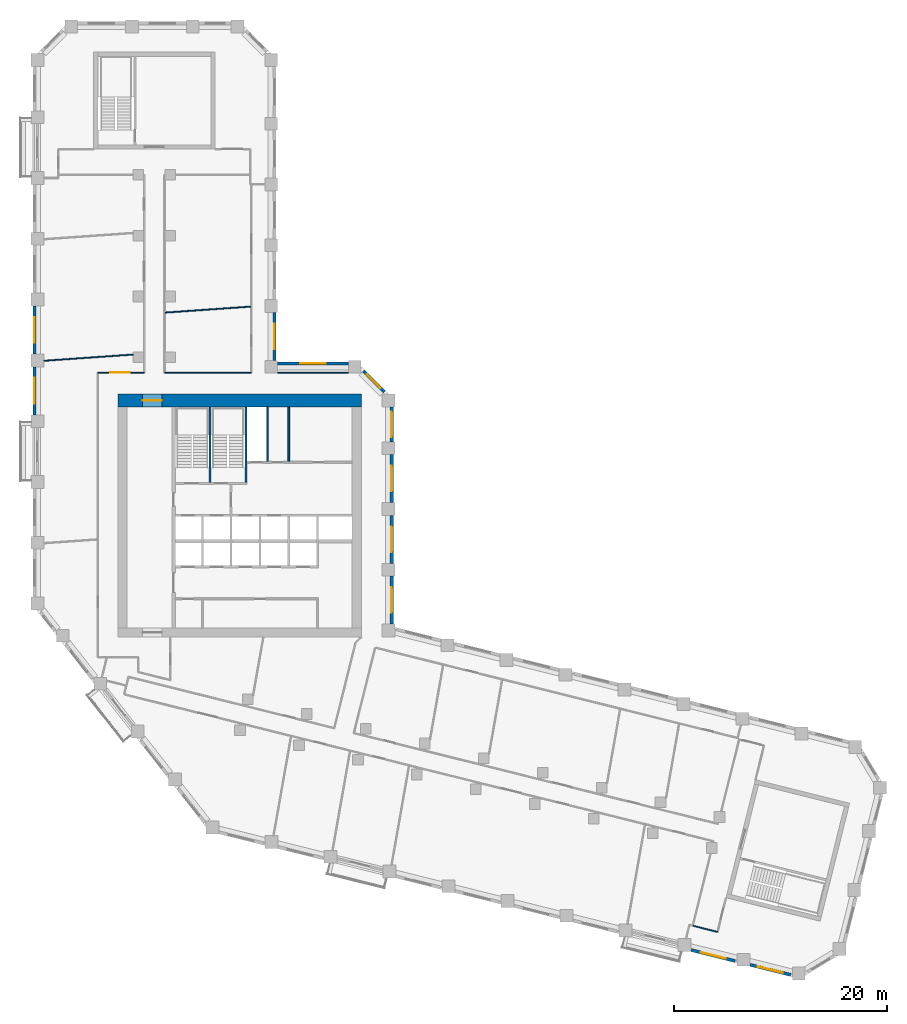
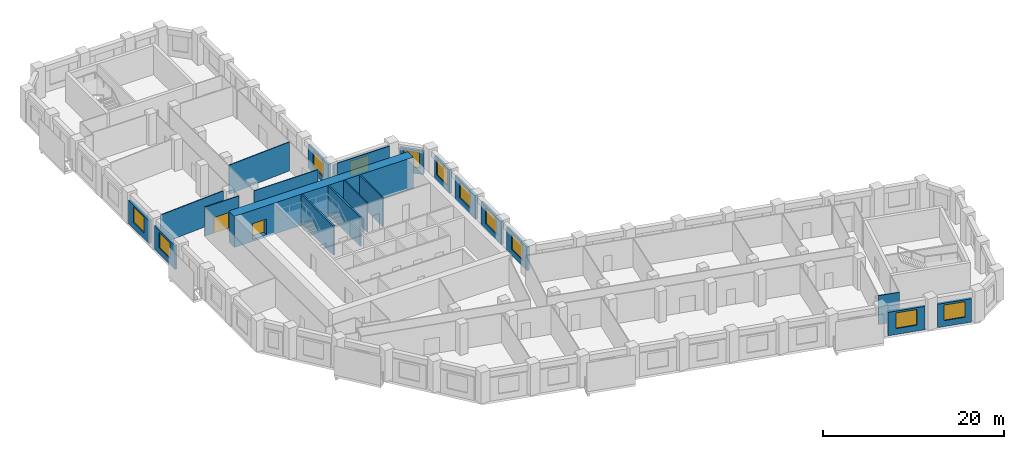
# One storey, part 6 of 10: 22 walls, 11 windows, 2 doors, 13 openings.
"""IFC4 building model written with IfcOpenShell, lengths in metres."""

from ifc_helpers import new_model, si_unit, direction, frame, frame_2d, origin, place, context, subcontext, project, spatial, rectangle, extrude, material, layer, layer_set, type_object, element, fill, save


model = new_model("IFC4")

# Units and contexts
model_context = context("Model", 3, precision=1e-05, world=origin(), true_north=direction((0.0, 1.0)))
body_context = subcontext(model_context, "Body", "Model", "MODEL_VIEW")
ifc_project = project(units=[si_unit("LENGTHUNIT", "METRE"), si_unit("AREAUNIT", "SQUARE_METRE"), si_unit("VOLUMEUNIT", "CUBIC_METRE"), si_unit("PLANEANGLEUNIT", "RADIAN"), si_unit("MASSUNIT", "GRAM", prefix="KILO")], contexts=[model_context])

# Site, building, storey
site_placement = place(None, origin())
site = spatial("IfcSite", under=ifc_project, at=site_placement, CompositionType="ELEMENT")
building_placement = place(site_placement, origin())
building = spatial("IfcBuilding", under=site, at=building_placement, Name="Meshkara Civic Tower", CompositionType="ELEMENT")
storey_placement = place(building_placement, frame((0.0, 0.0, 207.60009765625)))
storey = spatial("IfcBuildingStorey", under=building, at=storey_placement, Name="L47", CompositionType="ELEMENT", Elevation=207.60009765625)

# Walls
ifc_material_1 = material(Name="Blockwork", Category="masonry")
ifc_layer_1 = layer(ifc_material_1, 0.14990234375)
ifc_layer_set_1 = layer_set([ifc_layer_1], Name="Core partition 150")
wall_type_1 = type_object("IfcWallType", Name="Core partition 150", PredefinedType="PARTITIONING", material=ifc_layer_set_1)
for number, where, z_axis, x_axis, name in (
    (1, (22.0, 30.574951171875, 0.0), (0.0, 0.0, 1.0), (0.0, 1.0, 0.0), "L47-C018"),
    (2, (24.0, 30.574951171875, 0.0), (0.0, 0.0, 1.0), (0.0, 1.0, 0.0), "L47-C020"),
):
    element("IfcWall", number, at=place(storey_placement, frame(where, z_axis=z_axis, x_axis=x_axis)), inside=storey, type_object=wall_type_1, Name=name, PredefinedType="PARTITIONING", context=body_context, shape_type="SweptSolid", body=[
        extrude(rectangle(XDim=5.125, YDim=0.14990234375, at=frame_2d((2.5625, 0.0))), origin(), (0.0, 0.0, 1.0), 3.89990234375),
    ])

# Wall, opening, door
ifc_material_2 = material(Name="Concrete C70", Category="concrete")
ifc_layer_2 = layer(ifc_material_2, 1.199951171875)
ifc_layer_set_2 = layer_set([ifc_layer_2], Name="Core ring wall 1200 C70")
wall_type_2 = type_object("IfcWallType", Name="Core ring wall 1200 C70", PredefinedType="SHEAR", material=ifc_layer_set_2)
wall_1_placement = place(storey_placement, frame((8.0, 36.300048828125, -0.300048828125), z_axis=(0.0, 0.0, 1.0), x_axis=(1.0, 0.0, 0.0)))
wall_1 = element("IfcWall", 3, at=wall_1_placement, inside=storey, type_object=wall_type_2, Name="L47-C002", PredefinedType="SHEAR", context=body_context, shape_type="SweptSolid", body=[
    extrude(rectangle(XDim=22.800048828125, YDim=1.199951171875, at=frame_2d((11.39990234375, 0.0))), origin(), (0.0, 0.0, 1.0), 4.199951171875),
])
opening_1_placement = place(wall_1_placement, frame((2.300048828125, 0.0, 0.300048828125)))
opening_1 = element("IfcOpeningElement", 4, at=opening_1_placement, cuts=wall_1, Name="Opening L47-K020", PredefinedType="OPENING", context=body_context, shape_type="SweptSolid", body=[
    extrude(rectangle(XDim=1.800048828125, YDim=2.10009765625, at=frame_2d((0.89990234375, 1.050048828125))), frame((0.0, 0.60986328125, 0.0), z_axis=(0.0, -1.0, 0.0), x_axis=(1.0, 0.0, 0.0)), (0.0, 0.0, 1.0), 1.219970703125),
])
ifc_material_3 = material(Name="Fire-rated door leaf in steel frame", Category="steel")
door_type_1 = type_object("IfcDoorType", Name="Core double door 1800 EI 60", OperationType="DOUBLE_DOOR_SINGLE_SWING", PredefinedType="DOOR", material=ifc_material_3)
door_1_placement = place(opening_1_placement, origin())
door_1 = element("IfcDoor", 5, at=door_1_placement, inside=storey, type_object=door_type_1, Name="L47-K020", OperationType="DOUBLE_DOOR_SINGLE_SWING", OverallHeight=2.10009765625, OverallWidth=1.800048828125, PredefinedType="DOOR", context=body_context, shape_type="SweptSolid", body=[
    extrude(rectangle(XDim=1.800048828125, YDim=2.10009765625, at=frame_2d((0.89990234375, 1.050048828125))), frame((0.0, 0.02490234375, 0.0), z_axis=(0.0, -1.0, 0.0), x_axis=(1.0, 0.0, 0.0)), (0.0, 0.0, 1.0), 0.050048828125),
])
fill(opening_1, door_1)

ifc_material_4 = material(Name="Corridor wall 100")
ifc_layer_3 = layer(ifc_material_4, 0.10009765625)
ifc_layer_set_3 = layer_set([ifc_layer_3], Name="Corridor wall 100")
wall_type_3 = type_object("IfcWallType", Name="Corridor wall 100", PredefinedType="PARTITIONING", material=ifc_layer_set_3)
wall_2_placement = place(storey_placement, frame((10.449951171875, 38.89990234375, 0.0), z_axis=(0.0, 0.0, 1.0), x_axis=(-1.0, 0.0, 0.0)))
wall_2 = element("IfcWall", 6, at=wall_2_placement, inside=storey, type_object=wall_type_3, Name="L47-W011", PredefinedType="PARTITIONING", context=body_context, shape_type="SweptSolid", body=[
    extrude(rectangle(XDim=4.349853515625, YDim=0.10009765625, at=frame_2d((2.1748046875, 0.0))), origin(), (0.0, 0.0, 1.0), 3.89990234375),
])
opening_2_placement = place(wall_2_placement, frame((1.3798828125, 0.0, 0.0)))
opening_2 = element("IfcOpeningElement", 7, at=opening_2_placement, cuts=wall_2, Name="Opening L47-D017", PredefinedType="OPENING", context=body_context, shape_type="SweptSolid", body=[
    extrude(rectangle(XDim=1.800048828125, YDim=2.10009765625, at=frame_2d((0.89990234375, 1.050048828125))), frame((0.0, 0.06005859375, 0.0), z_axis=(0.0, -1.0, 0.0), x_axis=(1.0, 0.0, 0.0)), (0.0, 0.0, 1.0), 0.1201171875),
])
ifc_material_5 = material(Name="Door pair 1800 x 2100")
door_type_2 = type_object("IfcDoorType", Name="Door pair 1800 x 2100", OperationType="SINGLE_SWING_LEFT", PredefinedType="DOOR", material=ifc_material_5)
door_2_placement = place(opening_2_placement, origin())
door_2 = element("IfcDoor", 8, at=door_2_placement, inside=storey, type_object=door_type_2, Name="L47-D017", OperationType="DOUBLE_DOOR_SINGLE_SWING", OverallHeight=2.10009765625, OverallWidth=1.800048828125, PredefinedType="DOOR", context=body_context, shape_type="SweptSolid", body=[
    extrude(rectangle(XDim=1.800048828125, YDim=2.10009765625, at=frame_2d((0.89990234375, 1.050048828125))), frame((0.0, 0.02490234375, 0.0), z_axis=(0.0, -1.0, 0.0), x_axis=(1.0, 0.0, 0.0)), (0.0, 0.0, 1.0), 0.050048828125),
])
fill(opening_2, door_2)

# Walls
wall_3_placement = place(storey_placement, frame((20.5, 38.89990234375, 0.0), z_axis=(0.0, 0.0, 1.0), x_axis=(-1.0, 0.0, 0.0)))
element("IfcWall", 9, at=wall_3_placement, inside=storey, type_object=wall_type_3, Name="L47-W019", PredefinedType="PARTITIONING", context=body_context, shape_type="SweptSolid", body=[
    extrude(rectangle(XDim=8.14990234375, YDim=0.10009765625, at=frame_2d((4.074951171875, 0.0))), origin(), (0.0, 0.0, 1.0), 3.89990234375),
])
wall_4_placement = place(storey_placement, frame((29.593994140625, 38.89990234375, 0.0), z_axis=(0.0, 0.0, 1.0), x_axis=(-1.0, 0.0, 0.0)))
element("IfcWall", 10, at=wall_4_placement, inside=storey, type_object=wall_type_3, Name="L47-W021", PredefinedType="PARTITIONING", context=body_context, shape_type="SweptSolid", body=[
    extrude(rectangle(XDim=6.64404296875, YDim=0.10009765625, at=frame_2d((3.322021484375, 0.0))), origin(), (0.0, 0.0, 1.0), 3.89990234375),
])
wall_5_placement = place(storey_placement, frame((61.8740234375, -12.952880859375, 0.0), z_axis=(0.0, 0.0, 1.0), x_axis=(0.970256074659, -0.242080874063, 0.0)))
element("IfcWall", 11, at=wall_5_placement, inside=storey, type_object=wall_type_3, Name="L47-W027", PredefinedType="PARTITIONING", context=body_context, shape_type="SweptSolid", body=[
    extrude(rectangle(XDim=2.400146484375, YDim=0.10009765625, at=frame_2d((1.2001953125, 0.0))), origin(), (0.0, 0.0, 1.0), 3.89990234375),
])

# Wall, opening, window
ifc_material_6 = material(Name="Insulated infill panel with bronze anodised aluminium cladding", Category="aluminium")
ifc_layer_4 = layer(ifc_material_6, 0.300048828125)
ifc_layer_set_4 = layer_set([ifc_layer_4], Name="EXTERNAL INFILL WALL 300")
wall_type_4 = type_object("IfcWallType", Name="EXTERNAL INFILL WALL 300", PredefinedType="SOLIDWALL", material=ifc_layer_set_4)
wall_6_placement = place(storey_placement, frame((33.64990234375, 15.319091796875, 0.0), z_axis=(0.0, 0.0, 1.0), x_axis=(0.0, 1.0, 0.0)))
wall_6 = element("IfcWall", 12, at=wall_6_placement, inside=storey, type_object=wall_type_4, Name="External wall", PredefinedType="SOLIDWALL", context=body_context, shape_type="SweptSolid", body=[
    extrude(rectangle(XDim=4.5, YDim=0.300048828125, at=frame_2d((2.25, 0.0))), origin(), (0.0, 0.0, 1.0), 3.14990234375),
])
opening_3_placement = place(wall_6_placement, frame((1.050048828125, 0.0, 0.800048828125)))
opening_3 = element("IfcOpeningElement", 13, at=opening_3_placement, cuts=wall_6, Name="Opening W7", PredefinedType="OPENING", context=body_context, shape_type="SweptSolid", body=[
    extrude(rectangle(XDim=2.39990234375, YDim=2.10009765625, at=frame_2d((1.199951171875, 1.050048828125))), frame((0.0, 0.159912109375, 0.0), z_axis=(0.0, -1.0, 0.0), x_axis=(1.0, 0.0, 0.0)), (0.0, 0.0, 1.0), 0.320068359375),
])
ifc_material_7 = material(Name="Tinted double glazing", Category="glass")
window_type_1 = type_object("IfcWindowType", Name="WINDOW 2400x2100", PartitioningType="DOUBLE_PANEL_VERTICAL", PredefinedType="WINDOW", material=ifc_material_7)
window_1_placement = place(opening_3_placement, origin())
window_1 = element("IfcWindow", 14, at=window_1_placement, inside=storey, type_object=window_type_1, Name="Window", OverallHeight=2.10009765625, OverallWidth=2.39990234375, PartitioningType="DOUBLE_PANEL_VERTICAL", PredefinedType="WINDOW", context=body_context, shape_type="SweptSolid", body=[
    extrude(rectangle(XDim=2.39990234375, YDim=2.10009765625, at=frame_2d((1.199951171875, 1.050048828125))), frame((0.0, 0.030029296875, 0.0), z_axis=(0.0, -1.0, 0.0), x_axis=(1.0, 0.0, 0.0)), (0.0, 0.0, 1.0), 0.06005859375),
])
fill(opening_3, window_1)

wall_7_placement = place(storey_placement, frame((33.64990234375, 21.01904296875, 0.0), z_axis=(0.0, 0.0, 1.0), x_axis=(0.0, 1.0, 0.0)))
wall_7 = element("IfcWall", 15, at=wall_7_placement, inside=storey, type_object=wall_type_4, Name="External wall", PredefinedType="SOLIDWALL", context=body_context, shape_type="SweptSolid", body=[
    extrude(rectangle(XDim=4.5, YDim=0.300048828125, at=frame_2d((2.25, 0.0))), origin(), (0.0, 0.0, 1.0), 3.14990234375),
])
opening_4_placement = place(wall_7_placement, frame((1.050048828125, 0.0, 0.800048828125)))
opening_4 = element("IfcOpeningElement", 16, at=opening_4_placement, cuts=wall_7, Name="Opening W7", PredefinedType="OPENING", context=body_context, shape_type="SweptSolid", body=[
    extrude(rectangle(XDim=2.39990234375, YDim=2.10009765625, at=frame_2d((1.199951171875, 1.050048828125))), frame((0.0, 0.159912109375, 0.0), z_axis=(0.0, -1.0, 0.0), x_axis=(1.0, 0.0, 0.0)), (0.0, 0.0, 1.0), 0.320068359375),
])
window_2_placement = place(opening_4_placement, origin())
window_2 = element("IfcWindow", 17, at=window_2_placement, inside=storey, type_object=window_type_1, Name="Window", OverallHeight=2.10009765625, OverallWidth=2.39990234375, PartitioningType="DOUBLE_PANEL_VERTICAL", PredefinedType="WINDOW", context=body_context, shape_type="SweptSolid", body=[
    extrude(rectangle(XDim=2.39990234375, YDim=2.10009765625, at=frame_2d((1.199951171875, 1.050048828125))), frame((0.0, 0.030029296875, 0.0), z_axis=(0.0, -1.0, 0.0), x_axis=(1.0, 0.0, 0.0)), (0.0, 0.0, 1.0), 0.06005859375),
])
fill(opening_4, window_2)

wall_8_placement = place(storey_placement, frame((33.64990234375, 26.718994140625, 0.0), z_axis=(0.0, 0.0, 1.0), x_axis=(0.0, 1.0, 0.0)))
wall_8 = element("IfcWall", 18, at=wall_8_placement, inside=storey, type_object=wall_type_4, Name="External wall", PredefinedType="SOLIDWALL", context=body_context, shape_type="SweptSolid", body=[
    extrude(rectangle(XDim=4.5, YDim=0.300048828125, at=frame_2d((2.25, 0.0))), origin(), (0.0, 0.0, 1.0), 3.14990234375),
])
opening_5_placement = place(wall_8_placement, frame((1.050048828125, 0.0, 0.800048828125)))
opening_5 = element("IfcOpeningElement", 19, at=opening_5_placement, cuts=wall_8, Name="Opening W7", PredefinedType="OPENING", context=body_context, shape_type="SweptSolid", body=[
    extrude(rectangle(XDim=2.39990234375, YDim=2.10009765625, at=frame_2d((1.199951171875, 1.050048828125))), frame((0.0, 0.159912109375, 0.0), z_axis=(0.0, -1.0, 0.0), x_axis=(1.0, 0.0, 0.0)), (0.0, 0.0, 1.0), 0.320068359375),
])
window_3_placement = place(opening_5_placement, origin())
window_3 = element("IfcWindow", 20, at=window_3_placement, inside=storey, type_object=window_type_1, Name="Window", OverallHeight=2.10009765625, OverallWidth=2.39990234375, PartitioningType="DOUBLE_PANEL_VERTICAL", PredefinedType="WINDOW", context=body_context, shape_type="SweptSolid", body=[
    extrude(rectangle(XDim=2.39990234375, YDim=2.10009765625, at=frame_2d((1.199951171875, 1.050048828125))), frame((0.0, 0.030029296875, 0.0), z_axis=(0.0, -1.0, 0.0), x_axis=(1.0, 0.0, 0.0)), (0.0, 0.0, 1.0), 0.06005859375),
])
fill(opening_5, window_3)

wall_9_placement = place(storey_placement, frame((33.64990234375, 32.4189453125, 0.0), z_axis=(0.0, 0.0, 1.0), x_axis=(0.0, 1.0, 0.0)))
wall_9 = element("IfcWall", 21, at=wall_9_placement, inside=storey, type_object=wall_type_4, Name="External wall", PredefinedType="SOLIDWALL", context=body_context, shape_type="SweptSolid", body=[
    extrude(rectangle(XDim=3.275146484375, YDim=0.300048828125, at=frame_2d((1.6376953125, 0.0))), origin(), (0.0, 0.0, 1.0), 3.14990234375),
])
opening_6_placement = place(wall_9_placement, frame((0.43798828125, 0.0, 0.800048828125)))
opening_6 = element("IfcOpeningElement", 22, at=opening_6_placement, cuts=wall_9, Name="Opening W7", PredefinedType="OPENING", context=body_context, shape_type="SweptSolid", body=[
    extrude(rectangle(XDim=2.39990234375, YDim=2.10009765625, at=frame_2d((1.199951171875, 1.050048828125))), frame((0.0, 0.159912109375, 0.0), z_axis=(0.0, -1.0, 0.0), x_axis=(1.0, 0.0, 0.0)), (0.0, 0.0, 1.0), 0.320068359375),
])
window_4_placement = place(opening_6_placement, origin())
window_4 = element("IfcWindow", 23, at=window_4_placement, inside=storey, type_object=window_type_1, Name="Window", OverallHeight=2.10009765625, OverallWidth=2.39990234375, PartitioningType="DOUBLE_PANEL_VERTICAL", PredefinedType="WINDOW", context=body_context, shape_type="SweptSolid", body=[
    extrude(rectangle(XDim=2.39990234375, YDim=2.10009765625, at=frame_2d((1.199951171875, 1.050048828125))), frame((0.0, 0.030029296875, 0.0), z_axis=(0.0, -1.0, 0.0), x_axis=(1.0, 0.0, 0.0)), (0.0, 0.0, 1.0), 0.06005859375),
])
fill(opening_6, window_4)

wall_10_placement = place(storey_placement, frame((32.9619140625, 37.10595703125, 0.0), z_axis=(0.0, 0.0, 1.0), x_axis=(-0.707062649074, 0.707150910545, 0.0)))
wall_10 = element("IfcWall", 24, at=wall_10_placement, inside=storey, type_object=wall_type_4, Name="External wall", PredefinedType="SOLIDWALL", context=body_context, shape_type="SweptSolid", body=[
    extrude(rectangle(XDim=2.76611328125, YDim=0.300048828125, at=frame_2d((1.383056640625, 0.0))), origin(), (0.0, 0.0, 1.0), 3.14990234375),
])
opening_7_placement = place(wall_10_placement, frame((0.48291015625, 0.0, 0.800048828125)))
opening_7 = element("IfcOpeningElement", 25, at=opening_7_placement, cuts=wall_10, Name="Opening W9", PredefinedType="OPENING", context=body_context, shape_type="SweptSolid", body=[
    extrude(rectangle(XDim=1.800048828125, YDim=2.10009765625, at=frame_2d((0.89990234375, 1.050048828125))), frame((0.0, 0.159912109375, 0.0), z_axis=(0.0, -1.0, 0.0), x_axis=(1.0, 0.0, 0.0)), (0.0, 0.0, 1.0), 0.320068359375),
])
ifc_material_8 = material(Name="Tinted double glazing", Category="glass")
window_type_2 = type_object("IfcWindowType", Name="WINDOW 1800x2100", PartitioningType="DOUBLE_PANEL_VERTICAL", PredefinedType="WINDOW", material=ifc_material_8)
window_5_placement = place(opening_7_placement, origin())
window_5 = element("IfcWindow", 26, at=window_5_placement, inside=storey, type_object=window_type_2, Name="Window", OverallHeight=2.10009765625, OverallWidth=1.800048828125, PartitioningType="DOUBLE_PANEL_VERTICAL", PredefinedType="WINDOW", context=body_context, shape_type="SweptSolid", body=[
    extrude(rectangle(XDim=1.800048828125, YDim=2.10009765625, at=frame_2d((0.89990234375, 1.050048828125))), frame((0.0, 0.030029296875, 0.0), z_axis=(0.0, -1.0, 0.0), x_axis=(1.0, 0.0, 0.0)), (0.0, 0.0, 1.0), 0.06005859375),
])
fill(opening_7, window_5)

wall_11_placement = place(storey_placement, frame((29.593994140625, 39.75, 0.0), z_axis=(0.0, 0.0, 1.0), x_axis=(-1.0, 0.0, 0.0)))
wall_11 = element("IfcWall", 27, at=wall_11_placement, inside=storey, type_object=wall_type_4, Name="External wall", PredefinedType="SOLIDWALL", context=body_context, shape_type="SweptSolid", body=[
    extrude(rectangle(XDim=6.64404296875, YDim=0.300048828125, at=frame_2d((3.322021484375, 0.0))), origin(), (0.0, 0.0, 1.0), 3.14990234375),
])
opening_8_placement = place(wall_11_placement, frame((2.1220703125, 0.0, 0.800048828125)))
opening_8 = element("IfcOpeningElement", 28, at=opening_8_placement, cuts=wall_11, Name="Opening W7", PredefinedType="OPENING", context=body_context, shape_type="SweptSolid", body=[
    extrude(rectangle(XDim=2.39990234375, YDim=2.10009765625, at=frame_2d((1.199951171875, 1.050048828125))), frame((0.0, 0.159912109375, 0.0), z_axis=(0.0, -1.0, 0.0), x_axis=(1.0, 0.0, 0.0)), (0.0, 0.0, 1.0), 0.320068359375),
])
window_6_placement = place(opening_8_placement, origin())
window_6 = element("IfcWindow", 29, at=window_6_placement, inside=storey, type_object=window_type_1, Name="Window", OverallHeight=2.10009765625, OverallWidth=2.39990234375, PartitioningType="DOUBLE_PANEL_VERTICAL", PredefinedType="WINDOW", context=body_context, shape_type="SweptSolid", body=[
    extrude(rectangle(XDim=2.39990234375, YDim=2.10009765625, at=frame_2d((1.199951171875, 1.050048828125))), frame((0.0, 0.030029296875, 0.0), z_axis=(0.0, -1.0, 0.0), x_axis=(1.0, 0.0, 0.0)), (0.0, 0.0, 1.0), 0.06005859375),
])
fill(opening_8, window_6)

wall_12_placement = place(storey_placement, frame((22.64990234375, 40.050048828125, 0.0), z_axis=(0.0, 0.0, 1.0), x_axis=(0.0, 1.0, 0.0)))
wall_12 = element("IfcWall", 30, at=wall_12_placement, inside=storey, type_object=wall_type_4, Name="External wall", PredefinedType="SOLIDWALL", context=body_context, shape_type="SweptSolid", body=[
    extrude(rectangle(XDim=4.5, YDim=0.300048828125, at=frame_2d((2.25, 0.0))), origin(), (0.0, 0.0, 1.0), 3.14990234375),
])
opening_9_placement = place(wall_12_placement, frame((1.050048828125, 0.0, 0.800048828125)))
opening_9 = element("IfcOpeningElement", 31, at=opening_9_placement, cuts=wall_12, Name="Opening W7", PredefinedType="OPENING", context=body_context, shape_type="SweptSolid", body=[
    extrude(rectangle(XDim=2.39990234375, YDim=2.10009765625, at=frame_2d((1.199951171875, 1.050048828125))), frame((0.0, 0.159912109375, 0.0), z_axis=(0.0, -1.0, 0.0), x_axis=(1.0, 0.0, 0.0)), (0.0, 0.0, 1.0), 0.320068359375),
])
window_7_placement = place(opening_9_placement, origin())
window_7 = element("IfcWindow", 32, at=window_7_placement, inside=storey, type_object=window_type_1, Name="Window", OverallHeight=2.10009765625, OverallWidth=2.39990234375, PartitioningType="DOUBLE_PANEL_VERTICAL", PredefinedType="WINDOW", context=body_context, shape_type="SweptSolid", body=[
    extrude(rectangle(XDim=2.39990234375, YDim=2.10009765625, at=frame_2d((1.199951171875, 1.050048828125))), frame((0.0, 0.030029296875, 0.0), z_axis=(0.0, -1.0, 0.0), x_axis=(1.0, 0.0, 0.0)), (0.0, 0.0, 1.0), 0.06005859375),
])
fill(opening_9, window_7)

wall_13_placement = place(storey_placement, frame((0.14990234375, 45.155029296875, 0.0), z_axis=(0.0, 0.0, 1.0), x_axis=(0.0, -1.0, 0.0)))
wall_13 = element("IfcWall", 33, at=wall_13_placement, inside=storey, type_object=wall_type_4, Name="External wall", PredefinedType="SOLIDWALL", context=body_context, shape_type="SweptSolid", body=[
    extrude(rectangle(XDim=4.5, YDim=0.300048828125, at=frame_2d((2.25, 0.0))), origin(), (0.0, 0.0, 1.0), 3.14990234375),
])
opening_10_placement = place(wall_13_placement, frame((1.050048828125, 0.0, 0.800048828125)))
opening_10 = element("IfcOpeningElement", 34, at=opening_10_placement, cuts=wall_13, Name="Opening W7", PredefinedType="OPENING", context=body_context, shape_type="SweptSolid", body=[
    extrude(rectangle(XDim=2.39990234375, YDim=2.10009765625, at=frame_2d((1.199951171875, 1.050048828125))), frame((0.0, 0.159912109375, 0.0), z_axis=(0.0, -1.0, 0.0), x_axis=(1.0, 0.0, 0.0)), (0.0, 0.0, 1.0), 0.320068359375),
])
window_8_placement = place(opening_10_placement, origin())
window_8 = element("IfcWindow", 35, at=window_8_placement, inside=storey, type_object=window_type_1, Name="Window", OverallHeight=2.10009765625, OverallWidth=2.39990234375, PartitioningType="DOUBLE_PANEL_VERTICAL", PredefinedType="WINDOW", context=body_context, shape_type="SweptSolid", body=[
    extrude(rectangle(XDim=2.39990234375, YDim=2.10009765625, at=frame_2d((1.199951171875, 1.050048828125))), frame((0.0, 0.030029296875, 0.0), z_axis=(0.0, -1.0, 0.0), x_axis=(1.0, 0.0, 0.0)), (0.0, 0.0, 1.0), 0.06005859375),
])
fill(opening_10, window_8)

wall_14_placement = place(storey_placement, frame((0.14990234375, 39.455078125, 0.0), z_axis=(0.0, 0.0, 1.0), x_axis=(0.0, -1.0, 0.0)))
wall_14 = element("IfcWall", 36, at=wall_14_placement, inside=storey, type_object=wall_type_4, Name="External wall", PredefinedType="SOLIDWALL", context=body_context, shape_type="SweptSolid", body=[
    extrude(rectangle(XDim=4.5, YDim=0.300048828125, at=frame_2d((2.25, 0.0))), origin(), (0.0, 0.0, 1.0), 3.14990234375),
])
opening_11_placement = place(wall_14_placement, frame((1.050048828125, 0.0, 0.800048828125)))
opening_11 = element("IfcOpeningElement", 37, at=opening_11_placement, cuts=wall_14, Name="Opening W7", PredefinedType="OPENING", context=body_context, shape_type="SweptSolid", body=[
    extrude(rectangle(XDim=2.39990234375, YDim=2.10009765625, at=frame_2d((1.199951171875, 1.050048828125))), frame((0.0, 0.159912109375, 0.0), z_axis=(0.0, -1.0, 0.0), x_axis=(1.0, 0.0, 0.0)), (0.0, 0.0, 1.0), 0.320068359375),
])
window_9_placement = place(opening_11_placement, origin())
window_9 = element("IfcWindow", 38, at=window_9_placement, inside=storey, type_object=window_type_1, Name="Window", OverallHeight=2.10009765625, OverallWidth=2.39990234375, PartitioningType="DOUBLE_PANEL_VERTICAL", PredefinedType="WINDOW", context=body_context, shape_type="SweptSolid", body=[
    extrude(rectangle(XDim=2.39990234375, YDim=2.10009765625, at=frame_2d((1.199951171875, 1.050048828125))), frame((0.0, 0.030029296875, 0.0), z_axis=(0.0, -1.0, 0.0), x_axis=(1.0, 0.0, 0.0)), (0.0, 0.0, 1.0), 0.06005859375),
])
fill(opening_11, window_9)

wall_15_placement = place(storey_placement, frame((61.72998046875, -15.236083984375, 0.0), z_axis=(0.0, 0.0, 1.0), x_axis=(0.970304663212, -0.241886048688, 0.0)))
wall_15 = element("IfcWall", 39, at=wall_15_placement, inside=storey, type_object=wall_type_4, Name="External wall", PredefinedType="SOLIDWALL", context=body_context, shape_type="SweptSolid", body=[
    extrude(rectangle(XDim=4.2451171875, YDim=0.300048828125, at=frame_2d((2.12255859375, 0.0))), origin(), (0.0, 0.0, 1.0), 3.14990234375),
])
opening_12_placement = place(wall_15_placement, frame((0.922119140625, 0.0, 0.800048828125)))
opening_12 = element("IfcOpeningElement", 40, at=opening_12_placement, cuts=wall_15, Name="Opening W7", PredefinedType="OPENING", context=body_context, shape_type="SweptSolid", body=[
    extrude(rectangle(XDim=2.39990234375, YDim=2.10009765625, at=frame_2d((1.199951171875, 1.050048828125))), frame((0.0, 0.159912109375, 0.0), z_axis=(0.0, -1.0, 0.0), x_axis=(1.0, 0.0, 0.0)), (0.0, 0.0, 1.0), 0.320068359375),
])
window_10_placement = place(opening_12_placement, origin())
window_10 = element("IfcWindow", 41, at=window_10_placement, inside=storey, type_object=window_type_1, Name="Window", OverallHeight=2.10009765625, OverallWidth=2.39990234375, PartitioningType="DOUBLE_PANEL_VERTICAL", PredefinedType="WINDOW", context=body_context, shape_type="SweptSolid", body=[
    extrude(rectangle(XDim=2.39990234375, YDim=2.10009765625, at=frame_2d((1.199951171875, 1.050048828125))), frame((0.0, 0.030029296875, 0.0), z_axis=(0.0, -1.0, 0.0), x_axis=(1.0, 0.0, 0.0)), (0.0, 0.0, 1.0), 0.06005859375),
])
fill(opening_12, window_10)

wall_16_placement = place(storey_placement, frame((67.260009765625, -16.614990234375, 0.0), z_axis=(0.0, 0.0, 1.0), x_axis=(0.97033344074, -0.241770580885, 0.0)))
wall_16 = element("IfcWall", 42, at=wall_16_placement, inside=storey, type_object=wall_type_4, Name="External wall", PredefinedType="SOLIDWALL", context=body_context, shape_type="SweptSolid", body=[
    extrude(rectangle(XDim=3.905029296875, YDim=0.300048828125, at=frame_2d((1.95263671875, 0.0))), origin(), (0.0, 0.0, 1.0), 3.14990234375),
])
opening_13_placement = place(wall_16_placement, frame((0.751953125, 0.0, 0.800048828125)))
opening_13 = element("IfcOpeningElement", 43, at=opening_13_placement, cuts=wall_16, Name="Opening W7", PredefinedType="OPENING", context=body_context, shape_type="SweptSolid", body=[
    extrude(rectangle(XDim=2.39990234375, YDim=2.10009765625, at=frame_2d((1.199951171875, 1.050048828125))), frame((0.0, 0.159912109375, 0.0), z_axis=(0.0, -1.0, 0.0), x_axis=(1.0, 0.0, 0.0)), (0.0, 0.0, 1.0), 0.320068359375),
])
window_11_placement = place(opening_13_placement, origin())
window_11 = element("IfcWindow", 44, at=window_11_placement, inside=storey, type_object=window_type_1, Name="Window", OverallHeight=2.10009765625, OverallWidth=2.39990234375, PartitioningType="DOUBLE_PANEL_VERTICAL", PredefinedType="WINDOW", context=body_context, shape_type="SweptSolid", body=[
    extrude(rectangle(XDim=2.39990234375, YDim=2.10009765625, at=frame_2d((1.199951171875, 1.050048828125))), frame((0.0, 0.030029296875, 0.0), z_axis=(0.0, -1.0, 0.0), x_axis=(1.0, 0.0, 0.0)), (0.0, 0.0, 1.0), 0.06005859375),
])
fill(opening_13, window_11)

# Walls
ifc_material_9 = material(Name="Partition 100")
ifc_layer_5 = layer(ifc_material_9, 0.10009765625)
ifc_layer_set_5 = layer_set([ifc_layer_5], Name="Partition 100")
wall_type_5 = type_object("IfcWallType", Name="Partition 100", PredefinedType="PARTITIONING", material=ifc_layer_set_5)
wall_17_placement = place(storey_placement, frame((9.39990234375, 40.60107421875, 0.0), z_axis=(0.0, 0.0, 1.0), x_axis=(-0.997555044264, -0.069885146225, 0.0)))
element("IfcWall", 45, at=wall_17_placement, inside=storey, type_object=wall_type_5, Name="L47-W039", PredefinedType="PARTITIONING", context=body_context, shape_type="SweptSolid", body=[
    extrude(rectangle(XDim=8.370361328125, YDim=0.10009765625, at=frame_2d((4.18505859375, 0.0))), origin(), (0.0, 0.0, 1.0), 3.89990234375),
])
wall_18_placement = place(storey_placement, frame((20.447021484375, 45.096923828125, 0.0), z_axis=(0.0, 0.0, 1.0), x_axis=(-0.997568153989, -0.069697762853, 0.0)))
element("IfcWall", 46, at=wall_18_placement, inside=storey, type_object=wall_type_5, Name="L47-W042", PredefinedType="PARTITIONING", context=body_context, shape_type="SweptSolid", body=[
    extrude(rectangle(XDim=8.0634765625, YDim=0.10009765625, at=frame_2d((4.03173828125, 0.0))), origin(), (0.0, 0.0, 1.0), 3.89990234375),
])
ifc_material_10 = material(Name="Concrete C40/50", Category="concrete")
ifc_layer_6 = layer(ifc_material_10, 0.199951171875)
ifc_layer_set_6 = layer_set([ifc_layer_6], Name="Stair enclosure wall 200 C40/50")
wall_type_6 = type_object("IfcWallType", Name="Stair enclosure wall 200 C40/50", PredefinedType="SOLIDWALL", material=ifc_layer_set_6)
for number, where, z_axis, x_axis, name in (
    (47, (16.60009765625, 28.60009765625, 0.0), (0.0, 0.0, 1.0), (0.0, 1.0, 0.0), "L47-C014"),
    (48, (20.0, 28.60009765625, 0.0), (0.0, 0.0, 1.0), (0.0, 1.0, 0.0), "L47-C016"),
):
    element("IfcWall", number, at=place(storey_placement, frame(where, z_axis=z_axis, x_axis=x_axis)), inside=storey, type_object=wall_type_6, Name=name, PredefinedType="SOLIDWALL", context=body_context, shape_type="SweptSolid", body=[
        extrude(rectangle(XDim=7.099853515625, YDim=0.199951171875, at=frame_2d((3.5498046875, 0.0))), origin(), (0.0, 0.0, 1.0), 3.89990234375),
    ])

save(model, "model.ifc")
